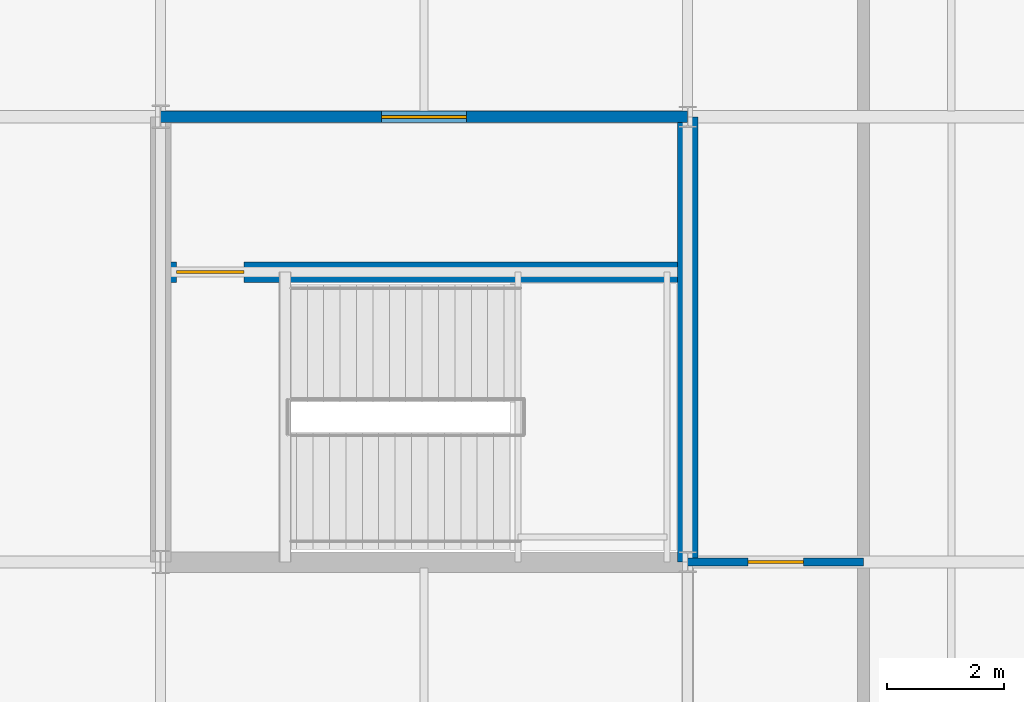
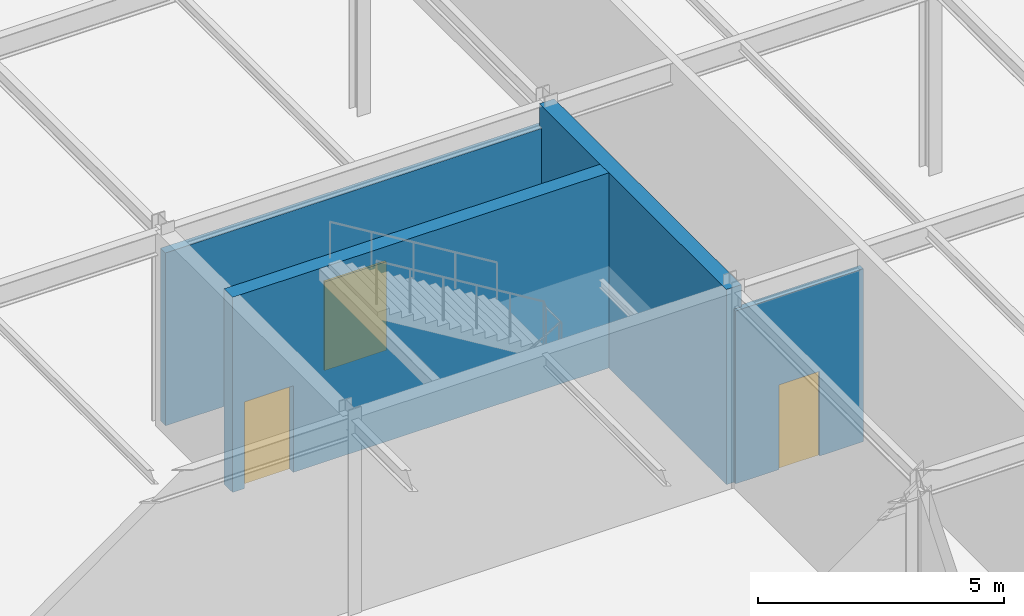
# One storey, part 63 of 79: 4 walls, 3 doors, 3 openings.
"""IFC4 building model written with IfcOpenShell, lengths in metres."""

import ifcopenshell
import ifcopenshell.guid

model = None  # the IFC model being written
_history = None  # IfcOwnerHistory: only IFC2X3 demands one
_inside = {}  # id of a spatial element -> (the spatial element, [elements in it])
_under = {}  # id of a project, library or spatial element -> (it, [spatial elements below it])
_declared = {}  # id of a project -> (the project, [libraries it declares])
_typed = {}  # id of a type object -> (the type object, [elements of that type])
_made_of = {}  # id of a material, layer set ... -> (it, [elements and type objects made of it])


def new_model(schema):
    """Start an empty IFC model of exactly this schema.

    Asked for "IFC4X3", IfcOpenShell would pick the latest addendum, in which some entities
    have other attributes; the version numbers below select the first issue.
    IFC2X3 requires an IfcOwnerHistory on every rooted entity: one is made here for all.
    """
    global model, _history
    if schema == "IFC4X3":
        model = ifcopenshell.file(schema_version=(4, 3, 0, 0))
    else:
        model = ifcopenshell.file(schema=schema)
    _inside.clear()
    _under.clear()
    _declared.clear()
    _typed.clear()
    _made_of.clear()
    _history = None
    if model.schema == "IFC2X3":
        org = make("IfcOrganization", Name="unknown")
        user = make(
            "IfcPersonAndOrganization",
            ThePerson=make("IfcPerson", FamilyName="unknown"),
            TheOrganization=org,
        )
        app = make(
            "IfcApplication",
            ApplicationDeveloper=org,
            Version="unknown",
            ApplicationFullName="unknown",
            ApplicationIdentifier="unknown",
        )
        _history = make(
            "IfcOwnerHistory",
            OwningUser=user,
            OwningApplication=app,
            ChangeAction="ADDED",
            CreationDate=0,
        )
    return model


def make(cls, **values):
    """One entity of the class cls with the attributes given. An attribute that is None is left unset."""
    return model.create_entity(
        cls, **{name: value for name, value in values.items() if value is not None}
    )


def rooted(cls, **values):
    """An entity with a GlobalId (a new one), such as an element, a storey or a relation."""
    return make(cls, GlobalId=ifcopenshell.guid.new(), OwnerHistory=_history, **values)


def si_unit(unit_type, name, prefix=None):
    """IfcSIUnit, for example si_unit("LENGTHUNIT", "METRE", prefix="MILLI")."""
    return make("IfcSIUnit", UnitType=unit_type, Prefix=prefix, Name=name)


def assignment(units):
    """IfcUnitAssignment: the units of a project."""
    return None if units is None else make("IfcUnitAssignment", Units=units)


def point(xyz):
    """IfcCartesianPoint."""
    return None if xyz is None else make("IfcCartesianPoint", Coordinates=xyz)


def direction(xyz):
    """IfcDirection."""
    return None if xyz is None else make("IfcDirection", DirectionRatios=xyz)


def frame(location, z_axis=None, x_axis=None):
    """IfcAxis2Placement3D, a coordinate frame: its origin and axes. An axis left out is left unset."""
    return make(
        "IfcAxis2Placement3D",
        Location=point(location),
        Axis=direction(z_axis),
        RefDirection=direction(x_axis),
    )


def frame_2d(location, x_axis=None):
    """IfcAxis2Placement2D, a coordinate frame in the plane: its origin and x axis."""
    return make(
        "IfcAxis2Placement2D", Location=point(location), RefDirection=direction(x_axis)
    )


def origin():
    """The frame at (0, 0, 0) with its axes left unset."""
    return frame((0.0, 0.0, 0.0))


def place(relative_to, where):
    """IfcLocalPlacement: puts the frame where relative to a parent placement (None: the world)."""
    return make(
        "IfcLocalPlacement", PlacementRelTo=relative_to, RelativePlacement=where
    )


def context(
    kind, dimensions, precision=None, world=None, true_north=None, identifier=None
):
    """IfcGeometricRepresentationContext, for example the 3D "Model" context."""
    return make(
        "IfcGeometricRepresentationContext",
        ContextIdentifier=identifier,
        ContextType=kind,
        CoordinateSpaceDimension=dimensions,
        Precision=precision,
        WorldCoordinateSystem=world,
        TrueNorth=true_north,
    )


def subcontext(parent, identifier, kind, view, scale=None):
    """IfcGeometricRepresentationSubContext, for example "Body" below "Model"."""
    return make(
        "IfcGeometricRepresentationSubContext",
        ContextIdentifier=identifier,
        ContextType=kind,
        ParentContext=parent,
        TargetScale=scale,
        TargetView=view,
    )


def project(units=None, contexts=None):
    """IfcProject with its units and contexts."""
    return rooted(
        "IfcProject",
        Name="project",
        RepresentationContexts=contexts,
        UnitsInContext=assignment(units),
    )


def spatial(cls, under=None, at=None, **own):
    """A site, building, storey or space (cls), placed at a placement, below another one or the project."""
    s = rooted(cls, ObjectPlacement=at, **own)
    if under is not None:
        _under.setdefault(under.id(), (under, []))[1].append(s)
    return s


def profile(cls, at=None, kind="AREA", **sizes):
    """A parametric profile (cls). Its sizes go by their IFC names, for example OverallWidth=200.0."""
    return make(cls, ProfileType=kind, Position=at, **sizes)


def rectangle(**sizes):
    """IfcRectangleProfileDef."""
    return profile("IfcRectangleProfileDef", **sizes)


def extrude(swept, where, along, depth):
    """IfcExtrudedAreaSolid: the profile swept, set in the frame where, extruded along a direction by depth."""
    return make(
        "IfcExtrudedAreaSolid",
        SweptArea=swept,
        Position=where,
        ExtrudedDirection=direction(along),
        Depth=depth,
    )


def shape(context_of_items, identifier, shape_type, items):
    """IfcShapeRepresentation: the items that make up one representation, for example the "Body"."""
    return make(
        "IfcShapeRepresentation",
        ContextOfItems=context_of_items,
        RepresentationIdentifier=identifier,
        RepresentationType=shape_type,
        Items=items,
    )


def material(Name=None, Category=None):
    """IfcMaterial."""
    return make("IfcMaterial", Name=Name, Category=Category)


def layer(
    of_material, thickness, ventilated=None, Name=None, Category=None, Priority=None
):
    """IfcMaterialLayer: one layer of a wall or slab, of a material (None: an air gap)."""
    return make(
        "IfcMaterialLayer",
        Material=of_material,
        LayerThickness=thickness,
        IsVentilated=ventilated,
        Name=Name,
        Category=Category,
        Priority=Priority,
    )


def layer_set(layers, Name=None):
    """IfcMaterialLayerSet."""
    return make("IfcMaterialLayerSet", MaterialLayers=layers, LayerSetName=Name)


def made_of(thing, what):
    """Note that an element or type object is made of a material, layer set ...; save() writes the relation."""
    if what is not None:
        _made_of.setdefault(what.id(), (what, []))[1].append(thing)
    return thing


def type_object(cls, material=None, **own):
    """A type object (cls), such as IfcWallType, which elements share."""
    return made_of(rooted(cls, **own), material)


def element(
    cls,
    number,
    at=None,
    inside=None,
    cuts=None,
    type_object=None,
    material=None,
    context=None,
    identifier="Body",
    shape_type=None,
    held_by="IfcProductDefinitionShape",
    body=None,
    shapes=None,
    **own,
):
    """One element of the class cls, such as IfcWall. Its Tag is "e" and its number.

    at: its placement. inside: the storey or other place that contains it. cuts: it is an
    opening in that element (IfcRelVoidsElement). A single representation is given by context,
    identifier, shape_type and body (its items); several are given by shapes. held_by: the class
    of the entity that holds the representations. save() writes the other relations.
    """
    e = rooted(cls, Tag="e%d" % number, ObjectPlacement=at, **own)
    if body is not None:
        shapes = [shape(context, identifier, shape_type, body)]
    if shapes is not None:
        e.Representation = make(held_by, Representations=shapes)
    if inside is not None:
        _inside.setdefault(inside.id(), (inside, []))[1].append(e)
    if cuts is not None:
        rooted(
            "IfcRelVoidsElement", RelatingBuildingElement=cuts, RelatedOpeningElement=e
        )
    if type_object is not None:
        _typed.setdefault(type_object.id(), (type_object, []))[1].append(e)
    return made_of(e, material)


def fill(opening, filler):
    """IfcRelFillsElement: the door or window that sits in an opening."""
    return rooted(
        "IfcRelFillsElement",
        RelatingOpeningElement=opening,
        RelatedBuildingElement=filler,
    )


def aggregate(whole, parts):
    """IfcRelAggregates: a whole, such as a stair, and the parts it consists of."""
    return rooted("IfcRelAggregates", RelatingObject=whole, RelatedObjects=parts)


def save(model, path):
    """Write the relations noted so far, then the file.

    IfcRelAggregates (storeys below a building ...), IfcRelContainedInSpatialStructure (elements
    in a storey), IfcRelDefinesByType, IfcRelAssociatesMaterial and IfcRelDeclares: one each for
    every whole, place, type object, material and project.
    """
    for whole, parts in _under.values():
        aggregate(whole, parts)
    for where, things in _inside.values():
        rooted(
            "IfcRelContainedInSpatialStructure",
            RelatedElements=things,
            RelatingStructure=where,
        )
    for kind, things in _typed.values():
        rooted("IfcRelDefinesByType", RelatedObjects=things, RelatingType=kind)
    for what, things in _made_of.values():
        rooted("IfcRelAssociatesMaterial", RelatedObjects=things, RelatingMaterial=what)
    for by, libraries in _declared.values():
        rooted("IfcRelDeclares", RelatingContext=by, RelatedDefinitions=libraries)
    model.write(path)


model = new_model("IFC4")

# Units and contexts
model_context = context("Model", 3, precision=1e-05, world=origin(), true_north=direction((0.0, 1.0)))
body_context = subcontext(model_context, "Body", "Model", "MODEL_VIEW")
ifc_project = project(units=[si_unit("LENGTHUNIT", "METRE"), si_unit("AREAUNIT", "SQUARE_METRE"), si_unit("VOLUMEUNIT", "CUBIC_METRE"), si_unit("PLANEANGLEUNIT", "RADIAN"), si_unit("MASSUNIT", "GRAM", prefix="KILO")], contexts=[model_context])

# Site, building, storey
site_placement = place(None, origin())
site = spatial("IfcSite", under=ifc_project, at=site_placement, CompositionType="ELEMENT")
building_placement = place(site_placement, origin())
building = spatial("IfcBuilding", under=site, at=building_placement, Name="Shalkamar Park Central Library", CompositionType="ELEMENT")
storey_placement = place(building_placement, frame((0.0, 0.0, 10.5)))
storey = spatial("IfcBuildingStorey", under=building, at=storey_placement, Name="L03", CompositionType="ELEMENT", Elevation=10.5)

# Wall, opening, door
ifc_material_1 = material(Name="Acoustic insulated reading partition", Category="masonry")
ifc_layer_1 = layer(ifc_material_1, 0.139892578125)
ifc_layer_set_1 = layer_set([ifc_layer_1], Name="AcousticPartition_140")
wall_type_1 = type_object("IfcWallType", Name="Acoustic Partition 140", PredefinedType="PARTITIONING", material=ifc_layer_set_1)
wall_1_placement = place(storey_placement, frame((255.0, 300.800048828125, 0.0), z_axis=(0.0, 0.0, 1.0), x_axis=(1.0, 0.0, 0.0)))
wall_1 = element("IfcWall", 1, at=wall_1_placement, inside=storey, type_object=wall_type_1, Name="Interior Partition WL-INT-L03-027-S4", PredefinedType="PARTITIONING", context=body_context, shape_type="SweptSolid", body=[
    extrude(rectangle(XDim=3.0, YDim=0.139892578125, at=frame_2d((1.5, 0.0))), origin(), (0.0, 0.0, 1.0), 4.2880859375),
])
opening_1_placement = place(wall_1_placement, frame((1.02490234375, 0.0, 0.0)))
opening_1 = element("IfcOpeningElement", 2, at=opening_1_placement, cuts=wall_1, Name="Opening DR-L03-029", PredefinedType="OPENING", context=body_context, shape_type="SweptSolid", body=[
    extrude(rectangle(XDim=0.949951171875, YDim=2.10009765625, at=frame_2d((0.47509765625, 1.050048828125))), frame((0.0, 0.0849609375, 0.0), z_axis=(0.0, -1.0, 0.0), x_axis=(1.0, 0.0, 0.0)), (0.0, 0.0, 1.0), 0.169677734375),
])
ifc_material_2 = material(Name="Steel S355", Category="steel")
door_type_1 = type_object("IfcDoorType", Name="Interior Door Single 950x2100", OperationType="NOTDEFINED", PredefinedType="DOOR", material=ifc_material_2)
door_1_placement = place(opening_1_placement, origin())
door_1 = element("IfcDoor", 3, at=door_1_placement, inside=storey, type_object=door_type_1, Name="East Corridor North Portal", OperationType="SINGLE_SWING_LEFT", OverallHeight=2.10009765625, OverallWidth=0.949951171875, PredefinedType="DOOR", context=body_context, shape_type="SweptSolid", body=[
    extrude(rectangle(XDim=0.949951171875, YDim=2.10009765625, at=frame_2d((0.47509765625, 1.050048828125))), frame((0.0, 0.02490234375, 0.0), z_axis=(0.0, -1.0, 0.0), x_axis=(1.0, 0.0, 0.0)), (0.0, 0.0, 1.0), 0.050048828125),
])
fill(opening_1, door_1)

ifc_material_3 = material(Name="Fire-rated corridor partition wall", Category="masonry")
ifc_layer_2 = layer(ifc_material_3, 0.199951171875)
ifc_layer_set_2 = layer_set([ifc_layer_2], Name="CorridorFireWall_200")
wall_type_2 = type_object("IfcWallType", Name="Corridor Fire Wall 200", PredefinedType="PARTITIONING", material=ifc_layer_set_2)
wall_2_placement = place(storey_placement, frame((246.0, 308.39990234375, 0.0), z_axis=(0.0, 0.0, 1.0), x_axis=(1.0, 0.0, 0.0)))
wall_2 = element("IfcWall", 4, at=wall_2_placement, inside=storey, type_object=wall_type_2, Name="CORE-P4 Vestibule North Wall (L03)", PredefinedType="PARTITIONING", context=body_context, shape_type="SweptSolid", body=[
    extrude(rectangle(XDim=9.0, YDim=0.199951171875, at=frame_2d((4.5, 0.0))), origin(), (0.0, 0.0, 1.0), 4.2880859375),
])
opening_2_placement = place(wall_2_placement, frame((3.77490234375, 0.0, 0.0)))
opening_2 = element("IfcOpeningElement", 5, at=opening_2_placement, cuts=wall_2, Name="Opening DR-ST-P4-L03-VEST", PredefinedType="OPENING", context=body_context, shape_type="SweptSolid", body=[
    extrude(rectangle(XDim=1.449951171875, YDim=2.199951171875, at=frame_2d((0.72509765625, 1.10009765625))), frame((0.0, 0.11474609375, 0.0), z_axis=(0.0, -1.0, 0.0), x_axis=(1.0, 0.0, 0.0)), (0.0, 0.0, 1.0), 0.229736328125),
])
door_type_2 = type_object("IfcDoorType", Name="Stair Vestibule Door 1450x2200", OperationType="DOUBLE_DOOR_SINGLE_SWING", PredefinedType="DOOR", material=ifc_material_2)
door_2_placement = place(opening_2_placement, frame((1.449951171875, 0.0, 0.0), z_axis=(0.0, 0.0, 1.0), x_axis=(-1.0, 0.0, 0.0)))
door_2 = element("IfcDoor", 6, at=door_2_placement, inside=storey, type_object=door_type_2, Name="Protected Stair ST-P4 Vestibule Door (L03)", OperationType="DOUBLE_DOOR_SINGLE_SWING", OverallHeight=2.199951171875, OverallWidth=1.449951171875, PredefinedType="DOOR", context=body_context, shape_type="SweptSolid", body=[
    extrude(rectangle(XDim=1.449951171875, YDim=2.199951171875, at=frame_2d((0.72509765625, 1.10009765625))), frame((0.0, 0.02490234375, 0.0), z_axis=(0.0, -1.0, 0.0), x_axis=(1.0, 0.0, 0.0)), (0.0, 0.0, 1.0), 0.050048828125),
])
fill(opening_2, door_2)

# Wall
ifc_material_4 = material(Name="Concrete C40/50", Category="concrete")
ifc_layer_3 = layer(ifc_material_4, 0.35009765625)
ifc_layer_set_3 = layer_set([ifc_layer_3], Name="Concrete C40/50")
wall_type_3 = type_object("IfcWallType", Name="Podium Core Shear Wall 350", PredefinedType="SHEAR", material=ifc_layer_set_3)
wall_3_placement = place(storey_placement, frame((255.0, 300.800048828125, 0.0), z_axis=(0.0, 0.0, 1.0), x_axis=(0.0, 1.0, 0.0)))
element("IfcWall", 7, at=wall_3_placement, inside=storey, type_object=wall_type_3, Name="CORE-P4 East Shear Wall (L03)", PredefinedType="SHEAR", context=body_context, shape_type="SweptSolid", body=[
    extrude(rectangle(XDim=7.599853515625, YDim=0.35009765625, at=frame_2d((3.7998046875, 0.0))), origin(), (0.0, 0.0, 1.0), 4.840087890625),
])

# Wall, opening, door
wall_4_placement = place(storey_placement, frame((246.0, 305.75, 0.0), z_axis=(0.0, 0.0, 1.0), x_axis=(1.0, 0.0, 0.0)))
wall_4 = element("IfcWall", 8, at=wall_4_placement, inside=storey, type_object=wall_type_3, Name="CORE-P4 Stairwell Wall (L03)", PredefinedType="SHEAR", context=body_context, shape_type="SweptSolid", body=[
    extrude(rectangle(XDim=9.0, YDim=0.35009765625, at=frame_2d((4.5, 0.0))), origin(), (0.0, 0.0, 1.0), 4.840087890625),
])
opening_3_placement = place(wall_4_placement, frame((0.27490234375, 0.0, 0.0)))
opening_3 = element("IfcOpeningElement", 9, at=opening_3_placement, cuts=wall_4, Name="Opening DR-ST-P4-L03-IN", PredefinedType="OPENING", context=body_context, shape_type="SweptSolid", body=[
    extrude(rectangle(XDim=1.14990234375, YDim=2.14990234375, at=frame_2d((0.574951171875, 1.074951171875))), frame((0.0, 0.18994140625, 0.0), z_axis=(0.0, -1.0, 0.0), x_axis=(1.0, 0.0, 0.0)), (0.0, 0.0, 1.0), 0.3798828125),
])
door_type_3 = type_object("IfcDoorType", Name="Stair Core Exit Door 1150x2150", OperationType="NOTDEFINED", PredefinedType="DOOR", material=ifc_material_2)
door_3_placement = place(opening_3_placement, frame((1.14990234375, 0.0, 0.0), z_axis=(0.0, 0.0, 1.0), x_axis=(-1.0, 0.0, 0.0)))
door_3 = element("IfcDoor", 10, at=door_3_placement, inside=storey, type_object=door_type_3, Name="Protected Stair ST-P4 Exit Door (L03)", OperationType="SINGLE_SWING_RIGHT", OverallHeight=2.14990234375, OverallWidth=1.14990234375, PredefinedType="DOOR", context=body_context, shape_type="SweptSolid", body=[
    extrude(rectangle(XDim=1.14990234375, YDim=2.14990234375, at=frame_2d((0.574951171875, 1.074951171875))), frame((0.0, 0.02490234375, 0.0), z_axis=(0.0, -1.0, 0.0), x_axis=(1.0, 0.0, 0.0)), (0.0, 0.0, 1.0), 0.050048828125),
])
fill(opening_3, door_3)

save(model, "model.ifc")
